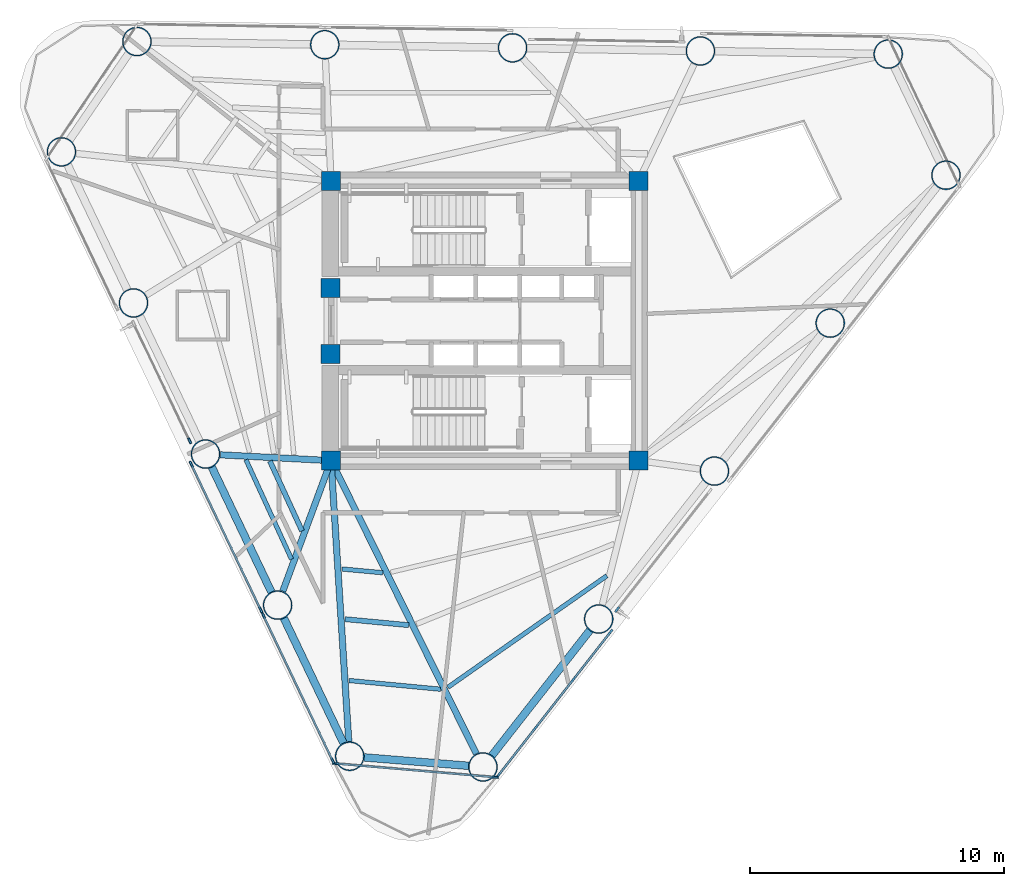
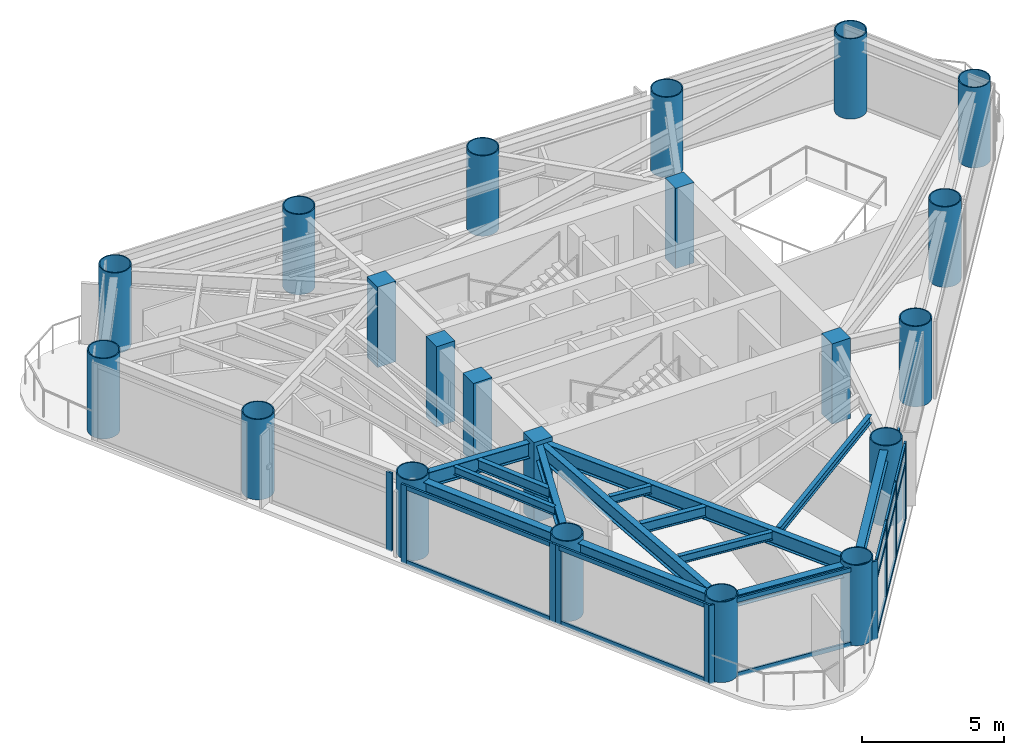
# One storey, part 1 of 9: 27 members, 21 columns, 14 beams, 6 elements without a shape of their own.
"""IFC4 building model written with IfcOpenShell, lengths in metres."""

from ifc_helpers import new_model, si_unit, direction, frame, origin, origin_2d, place, context, subcontext, project, spatial, rectangle, hollow_circle, i_section, extrude, source, transform, mapped, material, layer, layer_set, material_profile, profile_set, type_object, element, aggregate, save


model = new_model("IFC4")

# Units and contexts
model_context = context("Model", 3, precision=1e-05, world=origin(), true_north=direction((0.0, 1.0)))
body_context = subcontext(model_context, "Body", "Model", "MODEL_VIEW")
ifc_project = project(units=[si_unit("LENGTHUNIT", "METRE"), si_unit("AREAUNIT", "SQUARE_METRE"), si_unit("VOLUMEUNIT", "CUBIC_METRE"), si_unit("PLANEANGLEUNIT", "RADIAN"), si_unit("MASSUNIT", "GRAM", prefix="KILO")], contexts=[model_context])

# Site, building, storey
site_placement = place(None, origin())
site = spatial("IfcSite", under=ifc_project, at=site_placement, CompositionType="ELEMENT")
building_placement = place(site_placement, origin())
building = spatial("IfcBuilding", under=site, at=building_placement, Name="Yunling Apex Tower", CompositionType="ELEMENT")
storey_placement = place(building_placement, frame((0.0, 0.0, 205.25)))
storey = spatial("IfcBuildingStorey", under=building, at=storey_placement, Name="L50", CompositionType="ELEMENT", Elevation=205.25)

# Columns
ifc_material_1 = material(Name="Concrete C50", Category="concrete")
ifc_material_profile_1 = material_profile(ifc_material_1, rectangle(XDim=0.75, YDim=0.75, at=origin_2d()))
ifc_profile_set_1 = profile_set([ifc_material_profile_1], Name="Concrete C50")
column_type_1 = type_object("IfcColumnType", Name="PC-SRC-4", PredefinedType="COLUMN", material=ifc_profile_set_1)
shared_shape_1 = source(origin(), body_context, "Body", "SweptSolid", [
    extrude(rectangle(XDim=0.75, YDim=0.75, at=origin_2d()), origin(), (0.0, 0.0, 1.0), 3.449951171875),
])
for number, where, z_axis, x_axis, name in (
    (1, (-6.050048828125, -5.5, 0.0), (0.0, 0.0, 1.0), (1.0, 0.0, 0.0), "L50 Core Spine Column CC-SW"),
    (2, (6.050048828125, -5.5, 0.0), (0.0, 0.0, 1.0), (1.0, 0.0, 0.0), "L50 Core Spine Column CC-SE"),
    (3, (6.050048828125, 5.5, 0.0), (0.0, 0.0, 1.0), (1.0, 0.0, 0.0), "L50 Core Spine Column CC-NE"),
    (4, (-6.050048828125, 5.5, 0.0), (0.0, 0.0, 1.0), (1.0, 0.0, 0.0), "L50 Core Spine Column CC-NW"),
    (5, (-6.074951171875, -1.300048828125, 0.0), (0.0, 0.0, 1.0), (1.0, 0.0, 0.0), "L50 Core West Portal Jamb Column S"),
    (6, (-6.074951171875, 1.300048828125, 0.0), (0.0, 0.0, 1.0), (1.0, 0.0, 0.0), "L50 Core West Portal Jamb Column N"),
):
    element("IfcColumn", number, at=place(storey_placement, frame(where, z_axis=z_axis, x_axis=x_axis)), inside=storey, type_object=column_type_1, Name=name, PredefinedType="COLUMN", context=body_context, shape_type="MappedRepresentation", body=[
        mapped(shared_shape_1, transform((0.0, 0.0, 0.0), scale=1.0)),
    ])
ifc_material_2 = material(Name="Steel Q390GJC", Category="steel")
ifc_material_profile_2 = material_profile(ifc_material_2, hollow_circle(Radius=0.574951171875, WallThickness=0.0419921875, at=origin_2d()))
ifc_profile_set_2 = profile_set([ifc_material_profile_2], Name="Steel Q390GJC")
column_type_2 = type_object("IfcColumnType", Name="MC-CFST-4", PredefinedType="COLUMN", material=ifc_profile_set_2)
shared_shape_2 = source(origin(), body_context, "Body", "SweptSolid", [
    extrude(hollow_circle(Radius=0.574951171875, WallThickness=0.0419921875, at=origin_2d()), origin(), (0.0, 0.0, 1.0), 3.449951171875),
])
for number, where, z_axis, x_axis, name in (
    (7, (-0.073486328125, -17.55322265625, 0.0), (0.0, 0.0, 1.0), (1.0, 0.0, 0.0), "L50 Perimeter CFST Mega-Column P01"),
    (8, (4.480712890625, -11.732177734375, 0.0), (0.0, 0.0, 1.0), (1.0, 0.0, 0.0), "L50 Perimeter CFST Mega-Column P02"),
    (9, (9.03515625, -5.911376953125, 0.0), (0.0, 0.0, 1.0), (1.0, 0.0, 0.0), "L50 Perimeter CFST Mega-Column P03"),
    (10, (13.589599609375, -0.09033203125, 0.0), (0.0, 0.0, 1.0), (1.0, 0.0, 0.0), "L50 Perimeter CFST Mega-Column P04"),
    (11, (18.143798828125, 5.730712890625, 0.0), (0.0, 0.0, 1.0), (1.0, 0.0, 0.0), "L50 Perimeter CFST Mega-Column P05"),
    (12, (15.871826171875, 10.493896484375, 0.0), (0.0, 0.0, 1.0), (1.0, 0.0, 0.0), "L50 Perimeter CFST Mega-Column P06"),
    (13, (8.48193359375, 10.617919921875, 0.0), (0.0, 0.0, 1.0), (1.0, 0.0, 0.0), "L50 Perimeter CFST Mega-Column P07"),
    (14, (1.092041015625, 10.74169921875, 0.0), (0.0, 0.0, 1.0), (1.0, 0.0, 0.0), "L50 Perimeter CFST Mega-Column P08"),
    (15, (-6.2978515625, 10.865478515625, 0.0), (0.0, 0.0, 1.0), (1.0, 0.0, 0.0), "L50 Perimeter CFST Mega-Column P09"),
    (16, (-13.687744140625, 10.989501953125, 0.0), (0.0, 0.0, 1.0), (1.0, 0.0, 0.0), "L50 Perimeter CFST Mega-Column P10"),
    (17, (-16.657958984375, 6.649169921875, 0.0), (0.0, 0.0, 1.0), (1.0, 0.0, 0.0), "L50 Perimeter CFST Mega-Column P11"),
    (18, (-13.822509765625, 0.704345703125, 0.0), (0.0, 0.0, 1.0), (1.0, 0.0, 0.0), "L50 Perimeter CFST Mega-Column P12"),
    (19, (-10.98681640625, -5.240478515625, 0.0), (0.0, 0.0, 1.0), (1.0, 0.0, 0.0), "L50 Perimeter CFST Mega-Column P13"),
    (20, (-8.1513671875, -11.185302734375, 0.0), (0.0, 0.0, 1.0), (1.0, 0.0, 0.0), "L50 Perimeter CFST Mega-Column P14"),
    (21, (-5.31591796875, -17.130126953125, 0.0), (0.0, 0.0, 1.0), (1.0, 0.0, 0.0), "L50 Perimeter CFST Mega-Column P15"),
):
    element("IfcColumn", number, at=place(storey_placement, frame(where, z_axis=z_axis, x_axis=x_axis)), inside=storey, type_object=column_type_2, Name=name, PredefinedType="COLUMN", context=body_context, shape_type="MappedRepresentation", body=[
        mapped(shared_shape_2, transform((0.0, 0.0, 0.0), scale=1.0)),
    ])

# Beams
ifc_material_3 = material(Name="Steel Q355B", Category="steel")
ifc_material_profile_3 = material_profile(ifc_material_3, i_section(OverallWidth=0.300048828125, OverallDepth=0.489990234375, WebThickness=0.010986328125, FlangeThickness=0.01806640625, FilletRadius=0.02197265625, at=origin_2d()))
ifc_profile_set_3 = profile_set([ifc_material_profile_3], Name="Steel Q355B")
beam_type_1 = type_object("IfcBeamType", Name="BP-SPN-2", PredefinedType="SPANDREL", material=ifc_profile_set_3)
shared_shape_3 = source(origin(), body_context, "Body", "SweptSolid", [
    extrude(i_section(OverallWidth=0.300048828125, OverallDepth=0.489990234375, WebThickness=0.010986328125, FlangeThickness=0.01806640625, FilletRadius=0.02197265625, at=origin_2d()), origin(), (0.0, 0.0, 1.0), 6.252685546875),
])
beam_1_placement = place(storey_placement, frame((0.277099609375, -17.10498046875, 3.02490234375), z_axis=(0.616211399259, 0.787580796759, 0.0), x_axis=(-0.787580796759, 0.616211399259, 0.0)))
element("IfcBeam", 22, at=beam_1_placement, inside=storey, type_object=beam_type_1, Name="L50 Perimeter Spandrel Beam 1", PredefinedType="SPANDREL", context=body_context, shape_type="MappedRepresentation", body=[
    mapped(shared_shape_3, transform((0.0, 0.0, 0.0), scale=1.0)),
])
shared_shape_4 = source(origin(), body_context, "Body", "SweptSolid", [
    extrude(i_section(OverallWidth=0.300048828125, OverallDepth=0.489990234375, WebThickness=0.010986328125, FlangeThickness=0.01806640625, FilletRadius=0.02197265625, at=origin_2d()), origin(), (0.0, 0.0, 1.0), 4.121337890625),
])
beam_2_placement = place(storey_placement, frame((-4.74853515625, -17.17578125, 3.02490234375), z_axis=(0.996758900332, -0.080446843376, 0.0), x_axis=(0.080446843376, 0.996758900332, 0.0)))
element("IfcBeam", 23, at=beam_2_placement, inside=storey, type_object=beam_type_1, Name="L50 Perimeter Spandrel Beam 15", PredefinedType="SPANDREL", context=body_context, shape_type="MappedRepresentation", body=[
    mapped(shared_shape_4, transform((0.0, 0.0, 0.0), scale=1.0)),
])
shared_shape_5 = source(origin(), body_context, "Body", "SweptSolid", [
    extrude(i_section(OverallWidth=0.300048828125, OverallDepth=0.489990234375, WebThickness=0.010986328125, FlangeThickness=0.01806640625, FilletRadius=0.02197265625, at=origin_2d()), origin(), (0.0, 0.0, 1.0), 5.4482421875),
])
for number, where, z_axis, x_axis, name in (
    (24, (-10.741943359375, -5.754150390625, 3.02490234375), (0.430538797564, -0.902572071246, 0.0), (0.902572071246, 0.430538797564, 0.0), "L50 Perimeter Spandrel Beam 13"),
    (25, (-7.90625, -11.698974609375, 3.02490234375), (0.430502292287, -0.902589483839, 0.0), (0.902589483839, 0.430502292287, 0.0), "L50 Perimeter Spandrel Beam 14"),
):
    element("IfcBeam", number, at=place(storey_placement, frame(where, z_axis=z_axis, x_axis=x_axis)), inside=storey, type_object=beam_type_1, Name=name, PredefinedType="SPANDREL", context=body_context, shape_type="MappedRepresentation", body=[
        mapped(shared_shape_5, transform((0.0, 0.0, 0.0), scale=1.0)),
    ])
ifc_material_profile_4 = material_profile(ifc_material_3, i_section(OverallWidth=0.25, OverallDepth=0.64990234375, WebThickness=0.011962890625, FlangeThickness=0.02001953125, FilletRadius=0.02392578125, at=origin_2d()))
ifc_profile_set_4 = profile_set([ifc_material_profile_4], Name="Steel Q355B")
beam_type_2 = type_object("IfcBeamType", Name="BG-PRI-4", PredefinedType="USERDEFINED", material=ifc_profile_set_4)
shared_shape_6 = source(origin(), body_context, "Body", "SweptSolid", [
    extrude(i_section(OverallWidth=0.25, OverallDepth=0.64990234375, WebThickness=0.011962890625, FlangeThickness=0.02001953125, FilletRadius=0.02392578125, at=origin_2d()), origin(), (0.0, 0.0, 1.0), 12.79052734375),
])
beam_3_placement = place(storey_placement, frame((-0.33251953125, -17.031005859375, 2.945068359375), z_axis=(-0.444225803272, 0.895914859631, 0.0), x_axis=(-0.895914859631, -0.444225803272, 0.0)))
element("IfcBeam", 26, at=beam_3_placement, inside=storey, type_object=beam_type_2, Name="L50 Radial Primary Girder R01", ObjectType="GIRDER", PredefinedType="USERDEFINED", context=body_context, shape_type="MappedRepresentation", body=[
    mapped(shared_shape_6, transform((0.0, 0.0, 0.0), scale=1.0)),
])
shared_shape_7 = source(origin(), body_context, "Body", "SweptSolid", [
    extrude(i_section(OverallWidth=0.25, OverallDepth=0.64990234375, WebThickness=0.011962890625, FlangeThickness=0.02001953125, FilletRadius=0.02392578125, at=origin_2d()), origin(), (0.0, 0.0, 1.0), 4.28076171875),
])
beam_4_placement = place(storey_placement, frame((-10.40478515625, -5.27099609375, 2.945068359375), z_axis=(0.998619561788, -0.052525906134, 0.0), x_axis=(0.052525906134, 0.998619561788, 0.0)))
element("IfcBeam", 27, at=beam_4_placement, inside=storey, type_object=beam_type_2, Name="L50 Radial Primary Girder R13", ObjectType="GIRDER", PredefinedType="USERDEFINED", context=body_context, shape_type="MappedRepresentation", body=[
    mapped(shared_shape_7, transform((0.0, 0.0, 0.0), scale=1.0)),
])
shared_shape_8 = source(origin(), body_context, "Body", "SweptSolid", [
    extrude(i_section(OverallWidth=0.25, OverallDepth=0.64990234375, WebThickness=0.011962890625, FlangeThickness=0.02001953125, FilletRadius=0.02392578125, at=origin_2d()), origin(), (0.0, 0.0, 1.0), 5.398193359375),
])
beam_5_placement = place(storey_placement, frame((-7.94921875, -10.638427734375, 2.945068359375), z_axis=(0.346698581513, 0.937976595431, 0.0), x_axis=(-0.937976595431, 0.346698581513, 0.0)))
element("IfcBeam", 28, at=beam_5_placement, inside=storey, type_object=beam_type_2, Name="L50 Radial Primary Girder R14", ObjectType="GIRDER", PredefinedType="USERDEFINED", context=body_context, shape_type="MappedRepresentation", body=[
    mapped(shared_shape_8, transform((0.0, 0.0, 0.0), scale=1.0)),
])
shared_shape_9 = source(origin(), body_context, "Body", "SweptSolid", [
    extrude(i_section(OverallWidth=0.25, OverallDepth=0.64990234375, WebThickness=0.011962890625, FlangeThickness=0.02001953125, FilletRadius=0.02392578125, at=origin_2d()), origin(), (0.0, 0.0, 1.0), 10.990234375),
])
beam_6_placement = place(storey_placement, frame((-5.3525390625, -16.54833984375, 2.945068359375), z_axis=(-0.062999232086, 0.998013575437, 0.0), x_axis=(-0.998013575437, -0.062999232086, 0.0)))
element("IfcBeam", 29, at=beam_6_placement, inside=storey, type_object=beam_type_2, Name="L50 Radial Primary Girder R15", ObjectType="GIRDER", PredefinedType="USERDEFINED", context=body_context, shape_type="MappedRepresentation", body=[
    mapped(shared_shape_9, transform((0.0, 0.0, 0.0), scale=1.0)),
])
ifc_material_profile_5 = material_profile(ifc_material_3, i_section(OverallWidth=0.175048828125, OverallDepth=0.35009765625, WebThickness=0.007080078125, FlangeThickness=0.010986328125, FilletRadius=0.013916015625, at=origin_2d()))
ifc_profile_set_5 = profile_set([ifc_material_profile_5], Name="Steel Q355B")
beam_type_3 = type_object("IfcBeamType", Name="BJ-JST-1", PredefinedType="JOIST", material=ifc_profile_set_5)
shared_shape_10 = source(origin(), body_context, "Body", "SweptSolid", [
    extrude(i_section(OverallWidth=0.175048828125, OverallDepth=0.35009765625, WebThickness=0.007080078125, FlangeThickness=0.010986328125, FilletRadius=0.013916015625, at=origin_2d()), origin(), (0.0, 0.0, 1.0), 7.639892578125),
])
beam_7_placement = place(storey_placement, frame((-1.45166015625, -14.41796875, 3.094970703125), z_axis=(0.818522685397, 0.574474206113, 0.0), x_axis=(-0.574474206113, 0.818522685397, 0.0)))
element("IfcBeam", 30, at=beam_7_placement, inside=storey, type_object=beam_type_3, Name="L50 Composite Floor Joist BJ1-1", PredefinedType="JOIST", context=body_context, shape_type="MappedRepresentation", body=[
    mapped(shared_shape_10, transform((0.0, 0.0, 0.0), scale=1.0)),
])
ifc_material_profile_6 = material_profile(ifc_material_3, i_section(OverallWidth=0.199951171875, OverallDepth=0.449951171875, WebThickness=0.009033203125, FlangeThickness=0.013916015625, FilletRadius=0.01806640625, at=origin_2d()))
ifc_profile_set_6 = profile_set([ifc_material_profile_6], Name="Steel Q355B")
beam_type_4 = type_object("IfcBeamType", Name="BS-SEC-3", PredefinedType="BEAM", material=ifc_profile_set_6)
shared_shape_11 = source(origin(), body_context, "Body", "SweptSolid", [
    extrude(i_section(OverallWidth=0.199951171875, OverallDepth=0.449951171875, WebThickness=0.009033203125, FlangeThickness=0.013916015625, FilletRadius=0.01806640625, at=origin_2d()), origin(), (0.0, 0.0, 1.0), 3.0263671875),
])
beam_8_placement = place(storey_placement, frame((-8.456787109375, -5.515380859375, 3.044921875), z_axis=(0.417707186738, -0.908581700315, 0.0), x_axis=(0.908581700315, 0.417707186738, 0.0)))
element("IfcBeam", 31, at=beam_8_placement, inside=storey, type_object=beam_type_4, Name="L50 Composite Floor Beam BS-13", PredefinedType="BEAM", context=body_context, shape_type="MappedRepresentation", body=[
    mapped(shared_shape_11, transform((0.0, 0.0, 0.0), scale=1.0)),
])
shared_shape_12 = source(origin(), body_context, "Body", "SweptSolid", [
    extrude(i_section(OverallWidth=0.175048828125, OverallDepth=0.35009765625, WebThickness=0.007080078125, FlangeThickness=0.010986328125, FilletRadius=0.013916015625, at=origin_2d()), origin(), (0.0, 0.0, 1.0), 4.3046875),
])
beam_9_placement = place(storey_placement, frame((-9.397705078125, -5.466064453125, 3.094970703125), z_axis=(0.416693768596, -0.909046920248, 0.0), x_axis=(0.909046920248, 0.416693768596, 0.0)))
element("IfcBeam", 32, at=beam_9_placement, inside=storey, type_object=beam_type_3, Name="L50 Composite Floor Joist BJ1-13", PredefinedType="JOIST", context=body_context, shape_type="MappedRepresentation", body=[
    mapped(shared_shape_12, transform((0.0, 0.0, 0.0), scale=1.0)),
])
shared_shape_13 = source(origin(), body_context, "Body", "SweptSolid", [
    extrude(i_section(OverallWidth=0.199951171875, OverallDepth=0.449951171875, WebThickness=0.009033203125, FlangeThickness=0.013916015625, FilletRadius=0.01806640625, at=origin_2d()), origin(), (0.0, 0.0, 1.0), 2.51708984375),
])
beam_10_placement = place(storey_placement, frame((-5.497802734375, -11.7373046875, 3.044921875), z_axis=(0.995573168634, -0.093989711653, 0.0), x_axis=(0.093989711653, 0.995573168634, 0.0)))
element("IfcBeam", 33, at=beam_10_placement, inside=storey, type_object=beam_type_4, Name="L50 Composite Floor Beam BS-15", PredefinedType="BEAM", context=body_context, shape_type="MappedRepresentation", body=[
    mapped(shared_shape_13, transform((0.0, 0.0, 0.0), scale=1.0)),
])
shared_shape_14 = source(origin(), body_context, "Body", "SweptSolid", [
    extrude(i_section(OverallWidth=0.175048828125, OverallDepth=0.35009765625, WebThickness=0.007080078125, FlangeThickness=0.010986328125, FilletRadius=0.013916015625, at=origin_2d()), origin(), (0.0, 0.0, 1.0), 3.620361328125),
])
beam_11_placement = place(storey_placement, frame((-5.345703125, -14.150390625, 3.094970703125), z_axis=(0.99546937037, -0.095082767391, 0.0), x_axis=(0.095082767391, 0.99546937037, 0.0)))
element("IfcBeam", 34, at=beam_11_placement, inside=storey, type_object=beam_type_3, Name="L50 Composite Floor Joist BJ1-15", PredefinedType="JOIST", context=body_context, shape_type="MappedRepresentation", body=[
    mapped(shared_shape_14, transform((0.0, 0.0, 0.0), scale=1.0)),
])
shared_shape_15 = source(origin(), body_context, "Body", "SweptSolid", [
    extrude(i_section(OverallWidth=0.175048828125, OverallDepth=0.35009765625, WebThickness=0.007080078125, FlangeThickness=0.010986328125, FilletRadius=0.013916015625, at=origin_2d()), origin(), (0.0, 0.0, 1.0), 1.61474609375),
])
beam_12_placement = place(storey_placement, frame((-5.62255859375, -9.7626953125, 3.094970703125), z_axis=(0.995751976421, -0.092076063413, 0.0), x_axis=(0.092076063413, 0.995751976421, 0.0)))
element("IfcBeam", 35, at=beam_12_placement, inside=storey, type_object=beam_type_3, Name="L50 Composite Floor Joist BJ3-15", PredefinedType="JOIST", context=body_context, shape_type="MappedRepresentation", body=[
    mapped(shared_shape_15, transform((0.0, 0.0, 0.0), scale=1.0)),
])

# Curtain wall, members
ifc_material_4 = material(Name="Bronze anodised aluminium", Category="aluminium")
ifc_layer = layer(ifc_material_4, 0.239990234375)
ifc_layer_set = layer_set([ifc_layer], Name="Bronze anodised aluminium")
curtain_wall_type = type_object("IfcCurtainWallType", Name="CW-SYS-3", PredefinedType="NOTDEFINED", material=ifc_layer_set)
curtain_wall_1_placement = place(storey_placement, origin())
curtain_wall_1 = element("IfcCurtainWall", 36, at=curtain_wall_1_placement, inside=storey, type_object=curtain_wall_type, Name="CW-L50-F1-B1", PredefinedType="NOTDEFINED")
ifc_material_profile_7 = material_profile(ifc_material_4, rectangle(XDim=0.080078125, YDim=0.239990234375, at=origin_2d()))
ifc_profile_set_7 = profile_set([ifc_material_profile_7], Name="Bronze anodised aluminium")
member_type_1 = type_object("IfcMemberType", Name="CW-MUL-3", PredefinedType="MULLION", material=ifc_profile_set_7)
shared_shape_16 = source(origin(), body_context, "Body", "SweptSolid", [
    extrude(rectangle(XDim=0.080078125, YDim=0.239990234375, at=origin_2d()), origin(), (0.0, 0.0, 1.0), 3.3701171875),
])
member_1_placement = place(storey_placement, frame((0.535888671875, -17.877685546875, -0.050048828125), z_axis=(0.0, 0.0, 1.0), x_axis=(-0.787589332433, 0.616200489644, 0.0)))
member_1 = element("IfcMember", 37, at=member_1_placement, type_object=member_type_1, Name="CW-SYS-3 mullion 1", PredefinedType="MULLION", context=body_context, shape_type="MappedRepresentation", body=[
    mapped(shared_shape_16, transform((0.0, 0.0, 0.0), scale=1.0)),
])
member_2_placement = place(storey_placement, frame((1.99658203125, -16.010986328125, -0.050048828125), z_axis=(0.0, 0.0, 1.0), x_axis=(-0.787589332433, 0.616200489644, 0.0)))
member_2 = element("IfcMember", 38, at=member_2_placement, type_object=member_type_1, Name="CW-SYS-3 mullion 2", PredefinedType="MULLION", context=body_context, shape_type="MappedRepresentation", body=[
    mapped(shared_shape_16, transform((0.0, 0.0, 0.0), scale=1.0)),
])
member_3_placement = place(storey_placement, frame((3.481689453125, -14.112548828125, -0.050048828125), z_axis=(0.0, 0.0, 1.0), x_axis=(-0.787589332433, 0.616200489644, 0.0)))
member_3 = element("IfcMember", 39, at=member_3_placement, type_object=member_type_1, Name="CW-SYS-3 mullion 3", PredefinedType="MULLION", context=body_context, shape_type="MappedRepresentation", body=[
    mapped(shared_shape_16, transform((0.0, 0.0, 0.0), scale=1.0)),
])
member_4_placement = place(storey_placement, frame((4.9423828125, -12.24560546875, -0.050048828125), z_axis=(0.0, 0.0, 1.0), x_axis=(-0.787589332433, 0.616200489644, 0.0)))
member_4 = element("IfcMember", 40, at=member_4_placement, type_object=member_type_1, Name="CW-SYS-3 mullion 4", PredefinedType="MULLION", context=body_context, shape_type="MappedRepresentation", body=[
    mapped(shared_shape_16, transform((0.0, 0.0, 0.0), scale=1.0)),
])

# Curtain wall, member
curtain_wall_2_placement = place(storey_placement, origin())
curtain_wall_2 = element("IfcCurtainWall", 41, at=curtain_wall_2_placement, inside=storey, type_object=curtain_wall_type, Name="CW-L50-F1-B2", PredefinedType="NOTDEFINED")
member_5_placement = place(storey_placement, frame((5.20458984375, -11.35888671875, -0.050048828125), z_axis=(0.0, 0.0, 1.0), x_axis=(-0.787576499109, 0.616216892053, 0.0)))
member_5 = element("IfcMember", 42, at=member_5_placement, type_object=member_type_1, Name="CW-SYS-3 mullion 1", PredefinedType="MULLION", context=body_context, shape_type="MappedRepresentation", body=[
    mapped(shared_shape_16, transform((0.0, 0.0, 0.0), scale=1.0)),
])
aggregate(curtain_wall_2, [member_5])

curtain_wall_3_placement = place(storey_placement, origin())
curtain_wall_3 = element("IfcCurtainWall", 43, at=curtain_wall_3_placement, inside=storey, type_object=curtain_wall_type, Name="CW-L50-F3-B2", PredefinedType="NOTDEFINED")
member_6_placement = place(storey_placement, frame((-11.6123046875, -4.718994140625, -0.050048828125), z_axis=(0.0, 0.0, 1.0), x_axis=(0.902583049107, 0.430515783062, 0.0)))
member_6 = element("IfcMember", 44, at=member_6_placement, type_object=member_type_1, Name="CW-SYS-3 mullion 2", PredefinedType="MULLION", context=body_context, shape_type="MappedRepresentation", body=[
    mapped(shared_shape_16, transform((0.0, 0.0, 0.0), scale=1.0)),
])
aggregate(curtain_wall_3, [member_6])

# Curtain wall, members
curtain_wall_4_placement = place(storey_placement, origin())
curtain_wall_4 = element("IfcCurtainWall", 45, at=curtain_wall_4_placement, inside=storey, type_object=curtain_wall_type, Name="CW-L50-F3-B3", PredefinedType="NOTDEFINED")
member_7_placement = place(storey_placement, frame((-11.549072265625, -5.6416015625, -0.050048828125), z_axis=(0.0, 0.0, 1.0), x_axis=(0.902588239851, 0.430504900417, 0.0)))
member_7 = element("IfcMember", 46, at=member_7_placement, type_object=member_type_1, Name="CW-SYS-3 mullion 1", PredefinedType="MULLION", context=body_context, shape_type="MappedRepresentation", body=[
    mapped(shared_shape_16, transform((0.0, 0.0, 0.0), scale=1.0)),
])
member_8_placement = place(storey_placement, frame((-8.81689453125, -11.36962890625, -0.050048828125), z_axis=(0.0, 0.0, 1.0), x_axis=(0.902588239851, 0.430504900417, 0.0)))
member_8 = element("IfcMember", 47, at=member_8_placement, type_object=member_type_1, Name="CW-SYS-3 mullion 2", PredefinedType="MULLION", context=body_context, shape_type="MappedRepresentation", body=[
    mapped(shared_shape_16, transform((0.0, 0.0, 0.0), scale=1.0)),
])

curtain_wall_5_placement = place(storey_placement, origin())
curtain_wall_5 = element("IfcCurtainWall", 48, at=curtain_wall_5_placement, inside=storey, type_object=curtain_wall_type, Name="CW-L50-F3-B4", PredefinedType="NOTDEFINED")
member_9_placement = place(storey_placement, frame((-8.71337890625, -11.586181640625, -0.050048828125), z_axis=(0.0, 0.0, 1.0), x_axis=(0.902582193367, 0.430517577128, 0.0)))
member_9 = element("IfcMember", 49, at=member_9_placement, type_object=member_type_1, Name="CW-SYS-3 mullion 1", PredefinedType="MULLION", context=body_context, shape_type="MappedRepresentation", body=[
    mapped(shared_shape_16, transform((0.0, 0.0, 0.0), scale=1.0)),
])
member_10_placement = place(storey_placement, frame((-5.981201171875, -17.314453125, -0.050048828125), z_axis=(0.0, 0.0, 1.0), x_axis=(0.902582193367, 0.430517577128, 0.0)))
member_10 = element("IfcMember", 50, at=member_10_placement, type_object=member_type_1, Name="CW-SYS-3 mullion 2", PredefinedType="MULLION", context=body_context, shape_type="MappedRepresentation", body=[
    mapped(shared_shape_16, transform((0.0, 0.0, 0.0), scale=1.0)),
])

curtain_wall_6_placement = place(storey_placement, origin())
curtain_wall_6 = element("IfcCurtainWall", 51, at=curtain_wall_6_placement, inside=storey, type_object=curtain_wall_type, Name="CW-L50-CRN3", PredefinedType="NOTDEFINED")
member_11_placement = place(storey_placement, frame((-5.87158203125, -17.417724609375, -0.050048828125), z_axis=(0.0, 0.0, 1.0), x_axis=(0.085517150026, 0.996336698637, 0.0)))
member_11 = element("IfcMember", 52, at=member_11_placement, type_object=member_type_1, Name="CW-SYS-3 mullion 1", PredefinedType="MULLION", context=body_context, shape_type="MappedRepresentation", body=[
    mapped(shared_shape_16, transform((0.0, 0.0, 0.0), scale=1.0)),
])
member_12_placement = place(storey_placement, frame((0.406494140625, -17.95654296875, -0.050048828125), z_axis=(0.0, 0.0, 1.0), x_axis=(0.085517150026, 0.996336698637, 0.0)))
member_12 = element("IfcMember", 53, at=member_12_placement, type_object=member_type_1, Name="CW-SYS-3 mullion 2", PredefinedType="MULLION", context=body_context, shape_type="MappedRepresentation", body=[
    mapped(shared_shape_16, transform((0.0, 0.0, 0.0), scale=1.0)),
])

# Member
ifc_material_profile_8 = material_profile(ifc_material_4, rectangle(XDim=0.080078125, YDim=0.18505859375, at=origin_2d()))
ifc_profile_set_8 = profile_set([ifc_material_profile_8], Name="Bronze anodised aluminium")
member_type_2 = type_object("IfcMemberType", Name="CW-TRN-3", PredefinedType="USERDEFINED", material=ifc_profile_set_8)
shared_shape_17 = source(origin(), body_context, "Body", "SweptSolid", [
    extrude(rectangle(XDim=0.080078125, YDim=0.18505859375, at=origin_2d()), origin(), (0.0, 0.0, 1.0), 2.29833984375),
])
member_13_placement = place(storey_placement, frame((0.55810546875, -17.849365234375, 0.0400390625), z_axis=(0.616225194125, 0.787570003317, 0.0), x_axis=(-0.787570003317, 0.616225194125, 0.0)))
member_13 = element("IfcMember", 54, at=member_13_placement, type_object=member_type_2, Name="CW-SYS-3 transom 1.1", ObjectType="TRANSOM", PredefinedType="USERDEFINED", context=body_context, shape_type="MappedRepresentation", body=[
    mapped(shared_shape_17, transform((0.0, 0.0, 0.0), scale=1.0)),
])

member_14_placement = place(storey_placement, frame((0.55810546875, -17.849365234375, 2.485107421875), z_axis=(0.616225194125, 0.787570003317, 0.0), x_axis=(-0.787570003317, 0.616225194125, 0.0)))
member_14 = element("IfcMember", 55, at=member_14_placement, type_object=member_type_2, Name="CW-SYS-3 transom 1.2", ObjectType="TRANSOM", PredefinedType="USERDEFINED", context=body_context, shape_type="MappedRepresentation", body=[
    mapped(shared_shape_17, transform((0.0, 0.0, 0.0), scale=1.0)),
])

member_15_placement = place(storey_placement, frame((0.55810546875, -17.849365234375, 3.22998046875), z_axis=(0.616225194125, 0.787570003317, 0.0), x_axis=(-0.787570003317, 0.616225194125, 0.0)))
member_15 = element("IfcMember", 56, at=member_15_placement, type_object=member_type_2, Name="CW-SYS-3 transom 1.3", ObjectType="TRANSOM", PredefinedType="USERDEFINED", context=body_context, shape_type="MappedRepresentation", body=[
    mapped(shared_shape_17, transform((0.0, 0.0, 0.0), scale=1.0)),
])

member_16_placement = place(storey_placement, frame((3.50390625, -14.084228515625, 0.0400390625), z_axis=(0.616225194125, 0.787570003317, 0.0), x_axis=(-0.787570003317, 0.616225194125, 0.0)))
member_16 = element("IfcMember", 57, at=member_16_placement, type_object=member_type_2, Name="CW-SYS-3 transom 3.1", ObjectType="TRANSOM", PredefinedType="USERDEFINED", context=body_context, shape_type="MappedRepresentation", body=[
    mapped(shared_shape_17, transform((0.0, 0.0, 0.0), scale=1.0)),
])

member_17_placement = place(storey_placement, frame((3.50390625, -14.084228515625, 2.485107421875), z_axis=(0.616225194125, 0.787570003317, 0.0), x_axis=(-0.787570003317, 0.616225194125, 0.0)))
member_17 = element("IfcMember", 58, at=member_17_placement, type_object=member_type_2, Name="CW-SYS-3 transom 3.2", ObjectType="TRANSOM", PredefinedType="USERDEFINED", context=body_context, shape_type="MappedRepresentation", body=[
    mapped(shared_shape_17, transform((0.0, 0.0, 0.0), scale=1.0)),
])

member_18_placement = place(storey_placement, frame((3.50390625, -14.084228515625, 3.22998046875), z_axis=(0.616225194125, 0.787570003317, 0.0), x_axis=(-0.787570003317, 0.616225194125, 0.0)))
member_18 = element("IfcMember", 59, at=member_18_placement, type_object=member_type_2, Name="CW-SYS-3 transom 3.3", ObjectType="TRANSOM", PredefinedType="USERDEFINED", context=body_context, shape_type="MappedRepresentation", body=[
    mapped(shared_shape_17, transform((0.0, 0.0, 0.0), scale=1.0)),
])

shared_shape_18 = source(origin(), body_context, "Body", "SweptSolid", [
    extrude(rectangle(XDim=0.080078125, YDim=0.18505859375, at=origin_2d()), origin(), (0.0, 0.0, 1.0), 2.338134765625),
])
member_19_placement = place(storey_placement, frame((2.018798828125, -15.982421875, 0.0400390625), z_axis=(0.61616466275, 0.787617361654, 0.0), x_axis=(-0.787617361654, 0.61616466275, 0.0)))
member_19 = element("IfcMember", 60, at=member_19_placement, type_object=member_type_2, Name="CW-SYS-3 transom 2.1", ObjectType="TRANSOM", PredefinedType="USERDEFINED", context=body_context, shape_type="MappedRepresentation", body=[
    mapped(shared_shape_18, transform((0.0, 0.0, 0.0), scale=1.0)),
])

member_20_placement = place(storey_placement, frame((2.018798828125, -15.982421875, 2.485107421875), z_axis=(0.61616466275, 0.787617361654, 0.0), x_axis=(-0.787617361654, 0.61616466275, 0.0)))
member_20 = element("IfcMember", 61, at=member_20_placement, type_object=member_type_2, Name="CW-SYS-3 transom 2.2", ObjectType="TRANSOM", PredefinedType="USERDEFINED", context=body_context, shape_type="MappedRepresentation", body=[
    mapped(shared_shape_18, transform((0.0, 0.0, 0.0), scale=1.0)),
])

member_21_placement = place(storey_placement, frame((2.018798828125, -15.982421875, 3.22998046875), z_axis=(0.61616466275, 0.787617361654, 0.0), x_axis=(-0.787617361654, 0.61616466275, 0.0)))
member_21 = element("IfcMember", 62, at=member_21_placement, type_object=member_type_2, Name="CW-SYS-3 transom 2.3", ObjectType="TRANSOM", PredefinedType="USERDEFINED", context=body_context, shape_type="MappedRepresentation", body=[
    mapped(shared_shape_18, transform((0.0, 0.0, 0.0), scale=1.0)),
])

aggregate(curtain_wall_1, [member_1, member_2, member_3, member_4, member_13, member_14, member_15, member_19, member_20, member_21, member_16, member_17, member_18])

shared_shape_19 = source(origin(), body_context, "Body", "SweptSolid", [
    extrude(rectangle(XDim=0.080078125, YDim=0.18505859375, at=origin_2d()), origin(), (0.0, 0.0, 1.0), 6.2744140625),
])
member_22_placement = place(storey_placement, frame((-11.533447265625, -5.674072265625, 0.0400390625), z_axis=(0.430513491492, -0.902584142141, 0.0), x_axis=(0.902584142141, 0.430513491492, 0.0)))
member_22 = element("IfcMember", 63, at=member_22_placement, type_object=member_type_2, Name="CW-SYS-3 transom 1.1", ObjectType="TRANSOM", PredefinedType="USERDEFINED", context=body_context, shape_type="MappedRepresentation", body=[
    mapped(shared_shape_19, transform((0.0, 0.0, 0.0), scale=1.0)),
])

member_23_placement = place(storey_placement, frame((-11.533447265625, -5.674072265625, 3.22998046875), z_axis=(0.430513491492, -0.902584142141, 0.0), x_axis=(0.902584142141, 0.430513491492, 0.0)))
member_23 = element("IfcMember", 64, at=member_23_placement, type_object=member_type_2, Name="CW-SYS-3 transom 1.2", ObjectType="TRANSOM", PredefinedType="USERDEFINED", context=body_context, shape_type="MappedRepresentation", body=[
    mapped(shared_shape_19, transform((0.0, 0.0, 0.0), scale=1.0)),
])

aggregate(curtain_wall_4, [member_7, member_8, member_22, member_23])

member_24_placement = place(storey_placement, frame((-8.697998046875, -11.618896484375, 0.0400390625), z_axis=(0.430513491492, -0.902584142141, 0.0), x_axis=(0.902584142141, 0.430513491492, 0.0)))
member_24 = element("IfcMember", 65, at=member_24_placement, type_object=member_type_2, Name="CW-SYS-3 transom 1.1", ObjectType="TRANSOM", PredefinedType="USERDEFINED", context=body_context, shape_type="MappedRepresentation", body=[
    mapped(shared_shape_19, transform((0.0, 0.0, 0.0), scale=1.0)),
])

member_25_placement = place(storey_placement, frame((-8.697998046875, -11.618896484375, 3.22998046875), z_axis=(0.430513491492, -0.902584142141, 0.0), x_axis=(0.902584142141, 0.430513491492, 0.0)))
member_25 = element("IfcMember", 66, at=member_25_placement, type_object=member_type_2, Name="CW-SYS-3 transom 1.2", ObjectType="TRANSOM", PredefinedType="USERDEFINED", context=body_context, shape_type="MappedRepresentation", body=[
    mapped(shared_shape_19, transform((0.0, 0.0, 0.0), scale=1.0)),
])

aggregate(curtain_wall_5, [member_9, member_10, member_24, member_25])

shared_shape_20 = source(origin(), body_context, "Body", "SweptSolid", [
    extrude(rectangle(XDim=0.080078125, YDim=0.18505859375, at=origin_2d()), origin(), (0.0, 0.0, 1.0), 6.22900390625),
])
member_26_placement = place(storey_placement, frame((-5.835693359375, -17.420654296875, 0.0400390625), z_axis=(0.996336446565, -0.085520086795, 0.0), x_axis=(0.085520086795, 0.996336446565, 0.0)))
member_26 = element("IfcMember", 67, at=member_26_placement, type_object=member_type_2, Name="CW-SYS-3 transom 1.1", ObjectType="TRANSOM", PredefinedType="USERDEFINED", context=body_context, shape_type="MappedRepresentation", body=[
    mapped(shared_shape_20, transform((0.0, 0.0, 0.0), scale=1.0)),
])

member_27_placement = place(storey_placement, frame((-5.835693359375, -17.420654296875, 3.22998046875), z_axis=(0.996336446565, -0.085520086795, 0.0), x_axis=(0.085520086795, 0.996336446565, 0.0)))
member_27 = element("IfcMember", 68, at=member_27_placement, type_object=member_type_2, Name="CW-SYS-3 transom 1.2", ObjectType="TRANSOM", PredefinedType="USERDEFINED", context=body_context, shape_type="MappedRepresentation", body=[
    mapped(shared_shape_20, transform((0.0, 0.0, 0.0), scale=1.0)),
])

aggregate(curtain_wall_6, [member_11, member_12, member_26, member_27])

save(model, "model.ifc")
